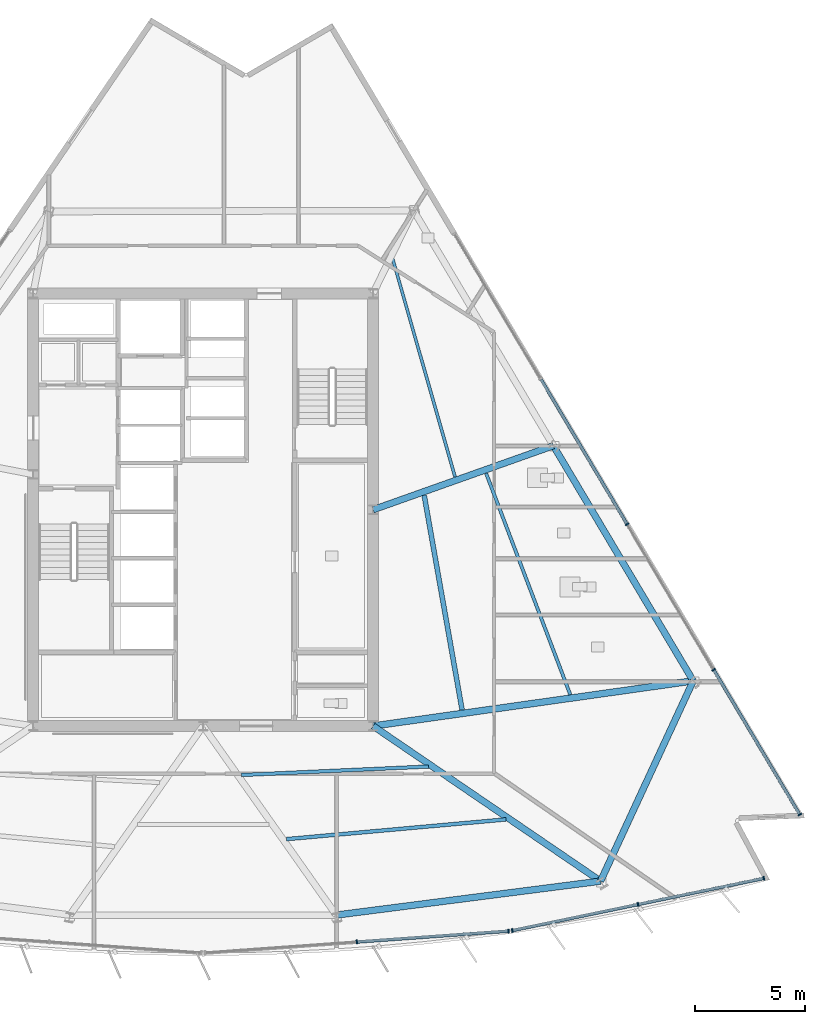
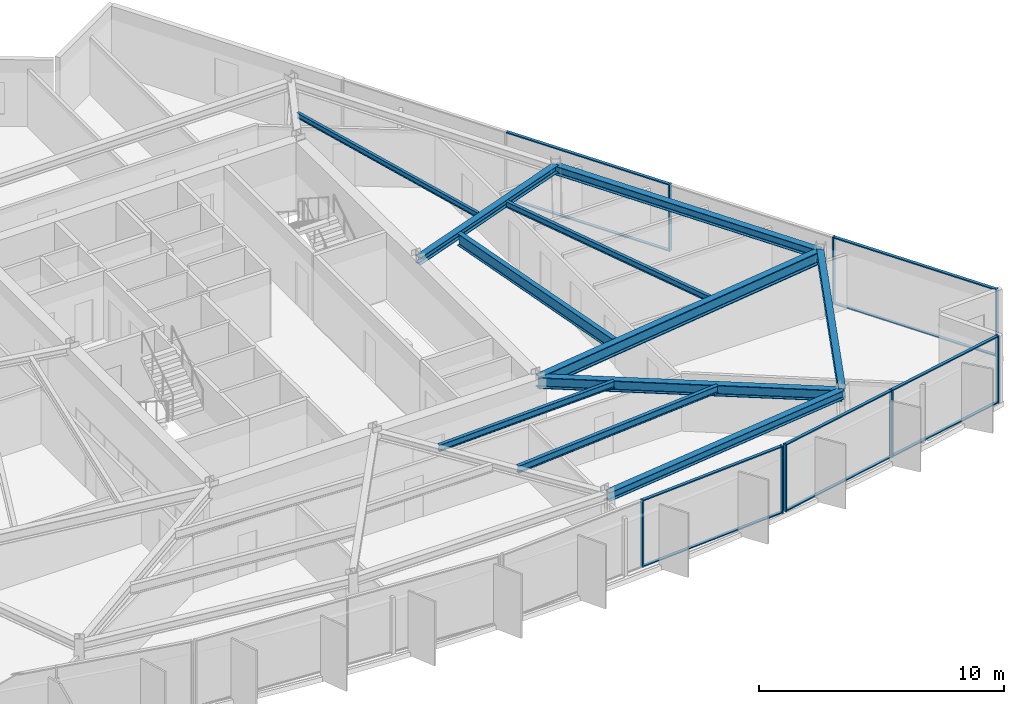
# One storey, part 4 of 15: 18 members, 11 beams, 3 elements without a shape of their own.
"""IFC4 building model written with IfcOpenShell, lengths in metres."""

from ifc_helpers import new_model, si_unit, direction, frame, origin, origin_2d, place, context, subcontext, project, spatial, rectangle, i_section, extrude, material, material_profile, profile_set, type_object, element, aggregate, save


model = new_model("IFC4")

# Units and contexts
model_context = context("Model", 3, precision=1e-05, world=origin(), true_north=direction((0.0, 1.0)))
body_context = subcontext(model_context, "Body", "Model", "MODEL_VIEW")
ifc_project = project(units=[si_unit("LENGTHUNIT", "METRE"), si_unit("AREAUNIT", "SQUARE_METRE"), si_unit("VOLUMEUNIT", "CUBIC_METRE"), si_unit("PLANEANGLEUNIT", "RADIAN"), si_unit("MASSUNIT", "GRAM", prefix="KILO")], contexts=[model_context])

# Site, building, storey
site_placement = place(None, origin())
site = spatial("IfcSite", under=ifc_project, at=site_placement, CompositionType="ELEMENT")
building_placement = place(site_placement, origin())
building = spatial("IfcBuilding", under=site, at=building_placement, Name="Savorim Split Tower", CompositionType="ELEMENT")
storey_placement = place(building_placement, frame((0.0, 0.0, 142.199951171875)))
storey = spatial("IfcBuildingStorey", under=building, at=storey_placement, Name="L37", CompositionType="ELEMENT", Elevation=142.199951171875)

# Beams
ifc_material_1 = material(Name="Steel S355", Category="steel")
ifc_material_profile_1 = material_profile(ifc_material_1, i_section(OverallWidth=0.135009765625, OverallDepth=0.27001953125, WebThickness=0.006591796875, FlangeThickness=0.01025390625, FilletRadius=0.014892578125, at=origin_2d()), Name="IPE 270")
ifc_profile_set_1 = profile_set([ifc_material_profile_1], Name="Steel S355")
beam_type_1 = type_object("IfcBeamType", Name="BM-JST-IPE270", PredefinedType="JOIST", material=ifc_profile_set_1)
beam_1_placement = place(storey_placement, frame((11.41357421875, 1.888671875, 3.215087890625), z_axis=(-0.274909283494, 0.961470168985, 0.0), x_axis=(-0.961470168985, -0.274909283494, 0.0)))
element("IfcBeam", 1, at=beam_1_placement, inside=storey, type_object=beam_type_1, Name="L37 Secondary Floor Joist JS-07", PredefinedType="JOIST", context=body_context, shape_type="SweptSolid", body=[
    extrude(i_section(OverallWidth=0.135009765625, OverallDepth=0.27001953125, WebThickness=0.006591796875, FlangeThickness=0.01025390625, FilletRadius=0.014892578125, at=origin_2d()), origin(), (0.0, 0.0, 1.0), 10.2822265625),
])
ifc_material_profile_2 = material_profile(ifc_material_1, i_section(OverallWidth=0.14990234375, OverallDepth=0.300048828125, WebThickness=0.007080078125, FlangeThickness=0.0107421875, FilletRadius=0.014892578125, at=origin_2d()), Name="IPE 300")
ifc_profile_set_2 = profile_set([ifc_material_profile_2], Name="Steel S355")
beam_type_2 = type_object("IfcBeamType", Name="BM-JST-IPE300", PredefinedType="JOIST", material=ifc_profile_set_2)
beam_2_placement = place(storey_placement, frame((16.6357421875, -7.9814453125, 3.199951171875), z_axis=(-0.355435225194, 0.934700915101, 0.0), x_axis=(-0.934700915101, -0.355435225194, 0.0)))
element("IfcBeam", 2, at=beam_2_placement, inside=storey, type_object=beam_type_2, Name="L37 Secondary Floor Joist JS-06", PredefinedType="JOIST", context=body_context, shape_type="SweptSolid", body=[
    extrude(i_section(OverallWidth=0.14990234375, OverallDepth=0.300048828125, WebThickness=0.007080078125, FlangeThickness=0.0107421875, FilletRadius=0.014892578125, at=origin_2d()), origin(), (0.0, 0.0, 1.0), 10.731689453125),
])
ifc_material_profile_3 = material_profile(ifc_material_1, i_section(OverallWidth=0.159912109375, OverallDepth=0.330078125, WebThickness=0.007568359375, FlangeThickness=0.011474609375, FilletRadius=0.01806640625, at=origin_2d()), Name="IPE 330")
ifc_profile_set_3 = profile_set([ifc_material_profile_3], Name="Steel S355")
beam_type_3 = type_object("IfcBeamType", Name="BM-JST-IPE330", PredefinedType="JOIST", material=ifc_profile_set_3)
beam_3_placement = place(storey_placement, frame((1.72900390625, -11.61962890625, 3.18505859375), z_axis=(0.998973568082, 0.045296912415, 0.0), x_axis=(-0.045296912415, 0.998973568082, 0.0)))
element("IfcBeam", 3, at=beam_3_placement, inside=storey, type_object=beam_type_3, Name="L37 Secondary Floor Joist JS-05", PredefinedType="JOIST", context=body_context, shape_type="SweptSolid", body=[
    extrude(i_section(OverallWidth=0.159912109375, OverallDepth=0.330078125, WebThickness=0.007568359375, FlangeThickness=0.011474609375, FilletRadius=0.01806640625, at=origin_2d()), origin(), (0.0, 0.0, 1.0), 8.499755859375),
])
ifc_material_profile_4 = material_profile(ifc_material_1, i_section(OverallWidth=0.169921875, OverallDepth=0.360107421875, WebThickness=0.008056640625, FlangeThickness=0.0126953125, FilletRadius=0.01806640625, at=origin_2d()), Name="IPE 360")
ifc_profile_set_4 = profile_set([ifc_material_profile_4], Name="Steel S355")
beam_type_4 = type_object("IfcBeamType", Name="BM-JST-IPE360", PredefinedType="JOIST", material=ifc_profile_set_4)
beam_4_placement = place(storey_placement, frame((3.780517578125, -14.524658203125, 3.170166015625), z_axis=(0.995987068912, 0.08949725448, 0.0), x_axis=(-0.08949725448, 0.995987068912, 0.0)))
element("IfcBeam", 4, at=beam_4_placement, inside=storey, type_object=beam_type_4, Name="L37 Secondary Floor Joist JS-04", PredefinedType="JOIST", context=body_context, shape_type="SweptSolid", body=[
    extrude(i_section(OverallWidth=0.169921875, OverallDepth=0.360107421875, WebThickness=0.008056640625, FlangeThickness=0.0126953125, FilletRadius=0.01806640625, at=origin_2d()), origin(), (0.0, 0.0, 1.0), 9.984130859375),
])
ifc_material_profile_5 = material_profile(ifc_material_1, i_section(OverallWidth=0.219970703125, OverallDepth=0.60009765625, WebThickness=0.011962890625, FlangeThickness=0.01904296875, FilletRadius=0.02392578125, at=origin_2d()), Name="IPE 600")
ifc_profile_set_5 = profile_set([ifc_material_profile_5], Name="Steel S355")
beam_type_5 = type_object("IfcBeamType", Name="BM-JST-IPE600", PredefinedType="JOIST", material=ifc_profile_set_5)
beam_5_placement = place(storey_placement, frame((11.7333984375, -8.669189453125, 3.050048828125), z_axis=(-0.174029328807, 0.984740469725, 0.0), x_axis=(-0.984740469725, -0.174029328807, 0.0)))
element("IfcBeam", 5, at=beam_5_placement, inside=storey, type_object=beam_type_5, Name="L37 Secondary Floor Joist JS-08", PredefinedType="JOIST", context=body_context, shape_type="SweptSolid", body=[
    extrude(i_section(OverallWidth=0.219970703125, OverallDepth=0.60009765625, WebThickness=0.011962890625, FlangeThickness=0.01904296875, FilletRadius=0.02392578125, at=origin_2d()), origin(), (0.0, 0.0, 1.0), 9.874755859375),
])
ifc_material_profile_6 = material_profile(ifc_material_1, i_section(OverallWidth=0.300048828125, OverallDepth=0.360107421875, WebThickness=0.012451171875, FlangeThickness=0.0224609375, FilletRadius=0.027099609375, at=origin_2d()), Name="HEB 360")
ifc_profile_set_6 = profile_set([ifc_material_profile_6], Name="Steel S355")
beam_type_6 = type_object("IfcBeamType", Name="BM-PRI-HEB360", PredefinedType="BEAM", material=ifc_profile_set_6)
beam_6_placement = place(storey_placement, frame((15.86865234375, 3.302001953125, 3.170166015625), z_axis=(-0.942299407837, -0.334771304013, 0.0), x_axis=(0.334771304013, -0.942299407837, 0.0)))
element("IfcBeam", 6, at=beam_6_placement, inside=storey, type_object=beam_type_6, Name="L37 Primary Floor Girder RG-06", PredefinedType="BEAM", context=body_context, shape_type="SweptSolid", body=[
    extrude(i_section(OverallWidth=0.300048828125, OverallDepth=0.360107421875, WebThickness=0.012451171875, FlangeThickness=0.0224609375, FilletRadius=0.027099609375, at=origin_2d()), origin(), (0.0, 0.0, 1.0), 8.6689453125),
])
ifc_material_profile_7 = material_profile(ifc_material_1, i_section(OverallWidth=0.300048828125, OverallDepth=0.550048828125, WebThickness=0.014892578125, FlangeThickness=0.029052734375, FilletRadius=0.027099609375, at=origin_2d()), Name="HEB 550")
ifc_profile_set_7 = profile_set([ifc_material_profile_7], Name="Steel S355")
beam_type_7 = type_object("IfcBeamType", Name="BM-PRI-HEB550", PredefinedType="BEAM", material=ifc_profile_set_7)
beam_7_placement = place(storey_placement, frame((18.0068359375, -16.427978515625, 3.074951171875), z_axis=(-0.826202913554, 0.563372652545, 0.0), x_axis=(-0.563372652545, -0.826202913554, 0.0)))
element("IfcBeam", 7, at=beam_7_placement, inside=storey, type_object=beam_type_7, Name="L37 Primary Floor Girder RG-04", PredefinedType="BEAM", context=body_context, shape_type="SweptSolid", body=[
    extrude(i_section(OverallWidth=0.300048828125, OverallDepth=0.550048828125, WebThickness=0.014892578125, FlangeThickness=0.029052734375, FilletRadius=0.027099609375, at=origin_2d()), origin(), (0.0, 0.0, 1.0), 12.47509765625),
])
ifc_material_2 = material(Name="Steel S460", Category="steel")
ifc_material_profile_8 = material_profile(ifc_material_2, i_section(OverallWidth=0.304931640625, OverallDepth=0.6201171875, WebThickness=0.02099609375, FlangeThickness=0.0400390625, FilletRadius=0.027099609375, at=origin_2d()), Name="HE 600 M")
ifc_profile_set_8 = profile_set([ifc_material_profile_8], Name="Steel S460")
beam_type_8 = type_object("IfcBeamType", Name="BM-PRI-HEM600", PredefinedType="BEAM", material=ifc_profile_set_8)
beam_8_placement = place(storey_placement, frame((22.204345703125, -7.353271484375, 3.0400390625), z_axis=(-0.990191038181, -0.139720105589, 0.0), x_axis=(0.139720105589, -0.990191038181, 0.0)))
element("IfcBeam", 8, at=beam_8_placement, inside=storey, type_object=beam_type_8, Name="L37 Primary Floor Girder RG-05", PredefinedType="BEAM", context=body_context, shape_type="SweptSolid", body=[
    extrude(i_section(OverallWidth=0.304931640625, OverallDepth=0.6201171875, WebThickness=0.02099609375, FlangeThickness=0.0400390625, FilletRadius=0.027099609375, at=origin_2d()), origin(), (0.0, 0.0, 1.0), 14.648193359375),
])
ifc_material_profile_9 = material_profile(ifc_material_1, i_section(OverallWidth=0.300048828125, OverallDepth=0.43994140625, WebThickness=0.011474609375, FlangeThickness=0.02099609375, FilletRadius=0.027099609375, at=origin_2d()), Name="HEA 450")
ifc_profile_set_9 = profile_set([ifc_material_profile_9], Name="Steel S355")
beam_type_9 = type_object("IfcBeamType", Name="BM-SPN-HEA450", PredefinedType="SPANDREL", material=ifc_profile_set_9)
beam_9_placement = place(storey_placement, frame((6.034912109375, -17.965087890625, 3.130126953125), z_axis=(0.991858163308, 0.127347492632, 0.0), x_axis=(-0.127347492632, 0.991858163308, 0.0)))
element("IfcBeam", 9, at=beam_9_placement, inside=storey, type_object=beam_type_9, Name="L37 Perimeter Spandrel Beam 3", PredefinedType="SPANDREL", context=body_context, shape_type="SweptSolid", body=[
    extrude(i_section(OverallWidth=0.300048828125, OverallDepth=0.43994140625, WebThickness=0.011474609375, FlangeThickness=0.02099609375, FilletRadius=0.027099609375, at=origin_2d()), origin(), (0.0, 0.0, 1.0), 12.0703125),
])
beam_10_placement = place(storey_placement, frame((18.0068359375, -16.427978515625, 3.130126953125), z_axis=(0.419815221739, 0.907609596466, 0.0), x_axis=(-0.907609596466, 0.419815221739, 0.0)))
element("IfcBeam", 10, at=beam_10_placement, inside=storey, type_object=beam_type_9, Name="L37 Perimeter Spandrel Beam 4", PredefinedType="SPANDREL", context=body_context, shape_type="SweptSolid", body=[
    extrude(i_section(OverallWidth=0.300048828125, OverallDepth=0.43994140625, WebThickness=0.011474609375, FlangeThickness=0.02099609375, FilletRadius=0.027099609375, at=origin_2d()), origin(), (0.0, 0.0, 1.0), 9.99853515625),
])
beam_11_placement = place(storey_placement, frame((22.204345703125, -7.353271484375, 3.130126953125), z_axis=(-0.511082864518, 0.859531445379, 0.0), x_axis=(-0.859531445379, -0.511082864518, 0.0)))
element("IfcBeam", 11, at=beam_11_placement, inside=storey, type_object=beam_type_9, Name="L37 Perimeter Spandrel Beam 5", PredefinedType="SPANDREL", context=body_context, shape_type="SweptSolid", body=[
    extrude(i_section(OverallWidth=0.300048828125, OverallDepth=0.43994140625, WebThickness=0.011474609375, FlangeThickness=0.02099609375, FilletRadius=0.027099609375, at=origin_2d()), origin(), (0.0, 0.0, 1.0), 12.396728515625),
])

# Curtain wall, members
ifc_material_3 = material(Name="Dark Ceramic-Fritted Insulated Glass", Category="glass")
curtain_wall_type = type_object("IfcCurtainWallType", Name="CW-TWR-FRIT-A", PredefinedType="NOTDEFINED", material=ifc_material_3)
curtain_wall_1_placement = place(storey_placement, origin())
curtain_wall_1 = element("IfcCurtainWall", 12, at=curtain_wall_1_placement, inside=storey, type_object=curtain_wall_type, Name="L37 Curtain Wall CW-L37-SF3", PredefinedType="NOTDEFINED")
ifc_material_4 = material(Name="Charcoal Anodised Aluminium", Category="aluminium")
ifc_material_profile_10 = material_profile(ifc_material_4, rectangle(XDim=0.179931640625, YDim=0.06494140625, at=origin_2d()), Name="ALU-M 180x65")
ifc_profile_set_10 = profile_set([ifc_material_profile_10], Name="Charcoal Anodised Aluminium")
member_type_1 = type_object("IfcMemberType", Name="CWM-180x65", PredefinedType="MULLION", material=ifc_profile_set_10)
member_1_placement = place(storey_placement, frame((6.9619140625, -19.181884765625, 0.0), z_axis=(0.0, 0.0, 1.0), x_axis=(-0.071560918492, 0.997436231017, 0.0)))
member_1 = element("IfcMember", 13, at=member_1_placement, type_object=member_type_1, Name="CW-02 mullion 2", PredefinedType="MULLION", context=body_context, shape_type="SweptSolid", body=[
    extrude(rectangle(XDim=0.179931640625, YDim=0.06494140625, at=origin_2d()), origin(), (0.0, 0.0, 1.0), 3.35009765625),
])
member_2_placement = place(storey_placement, frame((13.840087890625, -18.688232421875, 0.0), z_axis=(0.0, 0.0, 1.0), x_axis=(-0.071560918492, 0.997436231017, 0.0)))
member_2 = element("IfcMember", 14, at=member_2_placement, type_object=member_type_1, Name="CW-02 mullion 3", PredefinedType="MULLION", context=body_context, shape_type="SweptSolid", body=[
    extrude(rectangle(XDim=0.179931640625, YDim=0.06494140625, at=origin_2d()), origin(), (0.0, 0.0, 1.0), 3.35009765625),
])

curtain_wall_2_placement = place(storey_placement, origin())
curtain_wall_2 = element("IfcCurtainWall", 15, at=curtain_wall_2_placement, inside=storey, type_object=curtain_wall_type, Name="L37 Curtain Wall CW-L37-SF4", PredefinedType="NOTDEFINED")
member_3_placement = place(storey_placement, frame((14.007080078125, -18.6650390625, 0.0), z_axis=(0.0, 0.0, 1.0), x_axis=(-0.203209964912, 0.979135184824, 0.0)))
member_3 = element("IfcMember", 16, at=member_3_placement, type_object=member_type_1, Name="CW-02 mullion 1", PredefinedType="MULLION", context=body_context, shape_type="SweptSolid", body=[
    extrude(rectangle(XDim=0.179931640625, YDim=0.06494140625, at=origin_2d()), origin(), (0.0, 0.0, 1.0), 3.35009765625),
])
member_4_placement = place(storey_placement, frame((19.70458984375, -17.482666015625, 0.0), z_axis=(0.0, 0.0, 1.0), x_axis=(-0.203209964912, 0.979135184824, 0.0)))
member_4 = element("IfcMember", 17, at=member_4_placement, type_object=member_type_1, Name="CW-02 mullion 2", PredefinedType="MULLION", context=body_context, shape_type="SweptSolid", body=[
    extrude(rectangle(XDim=0.179931640625, YDim=0.06494140625, at=origin_2d()), origin(), (0.0, 0.0, 1.0), 3.35009765625),
])
member_5_placement = place(storey_placement, frame((25.402099609375, -16.30029296875, 0.0), z_axis=(0.0, 0.0, 1.0), x_axis=(-0.203209964912, 0.979135184824, 0.0)))
member_5 = element("IfcMember", 18, at=member_5_placement, type_object=member_type_1, Name="CW-02 mullion 3", PredefinedType="MULLION", context=body_context, shape_type="SweptSolid", body=[
    extrude(rectangle(XDim=0.179931640625, YDim=0.06494140625, at=origin_2d()), origin(), (0.0, 0.0, 1.0), 3.35009765625),
])

curtain_wall_3_placement = place(storey_placement, origin())
curtain_wall_3 = element("IfcCurtainWall", 19, at=curtain_wall_3_placement, inside=storey, type_object=curtain_wall_type, Name="L37 Curtain Wall CW-L37-EAST", PredefinedType="NOTDEFINED")
member_6_placement = place(storey_placement, frame((27.032470703125, -13.41357421875, 0.0), z_axis=(0.0, 0.0, 1.0), x_axis=(-0.859526328423, -0.511091470039, 0.0)))
member_6 = element("IfcMember", 20, at=member_6_placement, type_object=member_type_1, Name="CW-02 mullion 1", PredefinedType="MULLION", context=body_context, shape_type="SweptSolid", body=[
    extrude(rectangle(XDim=0.179931640625, YDim=0.06494140625, at=origin_2d()), origin(), (0.0, 0.0, 1.0), 3.35009765625),
])
member_7_placement = place(storey_placement, frame((23.12939453125, -6.849609375, 0.0), z_axis=(0.0, 0.0, 1.0), x_axis=(-0.859526328423, -0.511091470039, 0.0)))
member_7 = element("IfcMember", 21, at=member_7_placement, type_object=member_type_1, Name="CW-02 mullion 2", PredefinedType="MULLION", context=body_context, shape_type="SweptSolid", body=[
    extrude(rectangle(XDim=0.179931640625, YDim=0.06494140625, at=origin_2d()), origin(), (0.0, 0.0, 1.0), 3.35009765625),
])
member_8_placement = place(storey_placement, frame((19.209716796875, -0.257568359375, 0.0), z_axis=(0.0, 0.0, 1.0), x_axis=(-0.859526328423, -0.511091470039, 0.0)))
member_8 = element("IfcMember", 22, at=member_8_placement, type_object=member_type_1, Name="CW-02 mullion 3", PredefinedType="MULLION", context=body_context, shape_type="SweptSolid", body=[
    extrude(rectangle(XDim=0.179931640625, YDim=0.06494140625, at=origin_2d()), origin(), (0.0, 0.0, 1.0), 3.35009765625),
])

# Member
ifc_material_profile_11 = material_profile(ifc_material_4, rectangle(XDim=0.139892578125, YDim=0.054931640625, at=origin_2d()), Name="ALU-T 140x55")
ifc_profile_set_11 = profile_set([ifc_material_profile_11], Name="Charcoal Anodised Aluminium")
member_type_2 = type_object("IfcMemberType", Name="CWT-140x55", PredefinedType="USERDEFINED", material=ifc_profile_set_11)
member_9_placement = place(storey_placement, frame((6.994384765625, -19.179443359375, 0.027587890625), z_axis=(0.99743669961, 0.071554386807, 0.0), x_axis=(-0.071554386807, 0.99743669961, 0.0)))
member_9 = element("IfcMember", 23, at=member_9_placement, type_object=member_type_2, Name="CW-02 transom 2.1", ObjectType="TRANSOM", PredefinedType="USERDEFINED", context=body_context, shape_type="SweptSolid", body=[
    extrude(rectangle(XDim=0.139892578125, YDim=0.054931640625, at=origin_2d()), origin(), (0.0, 0.0, 1.0), 6.830810546875),
])

member_10_placement = place(storey_placement, frame((6.994384765625, -19.179443359375, 3.322509765625), z_axis=(0.99743669961, 0.071554386807, 0.0), x_axis=(-0.071554386807, 0.99743669961, 0.0)))
member_10 = element("IfcMember", 24, at=member_10_placement, type_object=member_type_2, Name="CW-02 transom 2.2", ObjectType="TRANSOM", PredefinedType="USERDEFINED", context=body_context, shape_type="SweptSolid", body=[
    extrude(rectangle(XDim=0.139892578125, YDim=0.054931640625, at=origin_2d()), origin(), (0.0, 0.0, 1.0), 6.830810546875),
])

aggregate(curtain_wall_1, [member_1, member_2, member_9, member_10])

member_11_placement = place(storey_placement, frame((14.0390625, -18.658447265625, 0.027587890625), z_axis=(0.979135111877, 0.203210316394, 0.0), x_axis=(-0.203210316394, 0.979135111877, 0.0)))
member_11 = element("IfcMember", 25, at=member_11_placement, type_object=member_type_2, Name="CW-02 transom 1.1", ObjectType="TRANSOM", PredefinedType="USERDEFINED", context=body_context, shape_type="SweptSolid", body=[
    extrude(rectangle(XDim=0.139892578125, YDim=0.054931640625, at=origin_2d()), origin(), (0.0, 0.0, 1.0), 5.753662109375),
])

member_12_placement = place(storey_placement, frame((14.0390625, -18.658447265625, 3.322509765625), z_axis=(0.979135111877, 0.203210316394, 0.0), x_axis=(-0.203210316394, 0.979135111877, 0.0)))
member_12 = element("IfcMember", 26, at=member_12_placement, type_object=member_type_2, Name="CW-02 transom 1.2", ObjectType="TRANSOM", PredefinedType="USERDEFINED", context=body_context, shape_type="SweptSolid", body=[
    extrude(rectangle(XDim=0.139892578125, YDim=0.054931640625, at=origin_2d()), origin(), (0.0, 0.0, 1.0), 5.753662109375),
])

member_13_placement = place(storey_placement, frame((19.736328125, -17.47607421875, 0.027587890625), z_axis=(0.979136864004, 0.203201873883, 0.0), x_axis=(-0.203201873883, 0.979136864004, 0.0)))
member_13 = element("IfcMember", 27, at=member_13_placement, type_object=member_type_2, Name="CW-02 transom 2.1", ObjectType="TRANSOM", PredefinedType="USERDEFINED", context=body_context, shape_type="SweptSolid", body=[
    extrude(rectangle(XDim=0.139892578125, YDim=0.054931640625, at=origin_2d()), origin(), (0.0, 0.0, 1.0), 5.75390625),
])

member_14_placement = place(storey_placement, frame((19.736328125, -17.47607421875, 3.322509765625), z_axis=(0.979136864004, 0.203201873883, 0.0), x_axis=(-0.203201873883, 0.979136864004, 0.0)))
member_14 = element("IfcMember", 28, at=member_14_placement, type_object=member_type_2, Name="CW-02 transom 2.2", ObjectType="TRANSOM", PredefinedType="USERDEFINED", context=body_context, shape_type="SweptSolid", body=[
    extrude(rectangle(XDim=0.139892578125, YDim=0.054931640625, at=origin_2d()), origin(), (0.0, 0.0, 1.0), 5.75390625),
])

aggregate(curtain_wall_2, [member_3, member_4, member_5, member_11, member_12, member_13, member_14])

member_15_placement = place(storey_placement, frame((27.015869140625, -13.385498046875, 0.027587890625), z_axis=(-0.511096639182, 0.859523254727, 0.0), x_axis=(-0.859523254727, -0.511096639182, 0.0)))
member_15 = element("IfcMember", 29, at=member_15_placement, type_object=member_type_2, Name="CW-02 transom 1.1", ObjectType="TRANSOM", PredefinedType="USERDEFINED", context=body_context, shape_type="SweptSolid", body=[
    extrude(rectangle(XDim=0.139892578125, YDim=0.054931640625, at=origin_2d()), origin(), (0.0, 0.0, 1.0), 7.57177734375),
])

member_16_placement = place(storey_placement, frame((27.015869140625, -13.385498046875, 3.322509765625), z_axis=(-0.511096639182, 0.859523254727, 0.0), x_axis=(-0.859523254727, -0.511096639182, 0.0)))
member_16 = element("IfcMember", 30, at=member_16_placement, type_object=member_type_2, Name="CW-02 transom 1.2", ObjectType="TRANSOM", PredefinedType="USERDEFINED", context=body_context, shape_type="SweptSolid", body=[
    extrude(rectangle(XDim=0.139892578125, YDim=0.054931640625, at=origin_2d()), origin(), (0.0, 0.0, 1.0), 7.57177734375),
])

member_17_placement = place(storey_placement, frame((19.193115234375, -0.229736328125, 0.027587890625), z_axis=(-0.511087573167, 0.859528645569, 0.0), x_axis=(-0.859528645569, -0.511087573167, 0.0)))
member_17 = element("IfcMember", 31, at=member_17_placement, type_object=member_type_2, Name="CW-02 transom 3.1", ObjectType="TRANSOM", PredefinedType="USERDEFINED", context=body_context, shape_type="SweptSolid", body=[
    extrude(rectangle(XDim=0.139892578125, YDim=0.054931640625, at=origin_2d()), origin(), (0.0, 0.0, 1.0), 7.604248046875),
])

member_18_placement = place(storey_placement, frame((19.193115234375, -0.229736328125, 3.322509765625), z_axis=(-0.511087573167, 0.859528645569, 0.0), x_axis=(-0.859528645569, -0.511087573167, 0.0)))
member_18 = element("IfcMember", 32, at=member_18_placement, type_object=member_type_2, Name="CW-02 transom 3.2", ObjectType="TRANSOM", PredefinedType="USERDEFINED", context=body_context, shape_type="SweptSolid", body=[
    extrude(rectangle(XDim=0.139892578125, YDim=0.054931640625, at=origin_2d()), origin(), (0.0, 0.0, 1.0), 7.604248046875),
])

aggregate(curtain_wall_3, [member_6, member_7, member_8, member_15, member_16, member_17, member_18])

save(model, "model.ifc")
